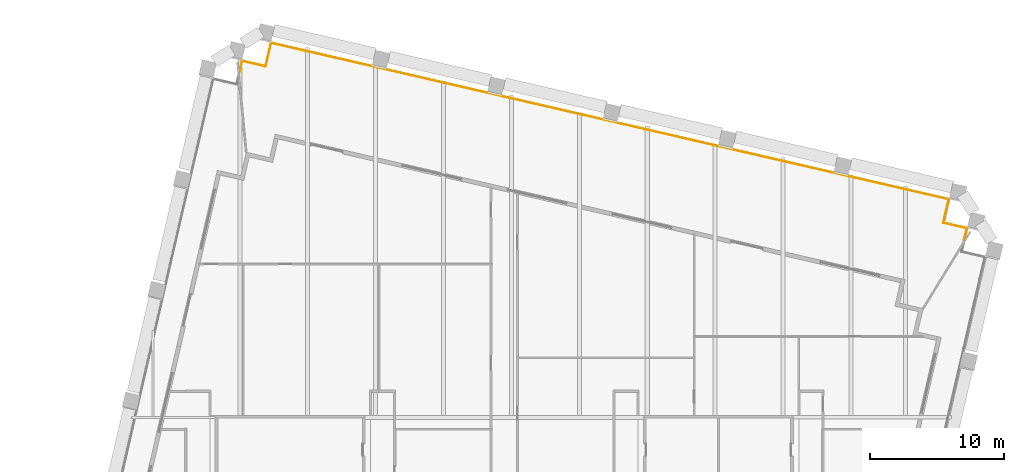
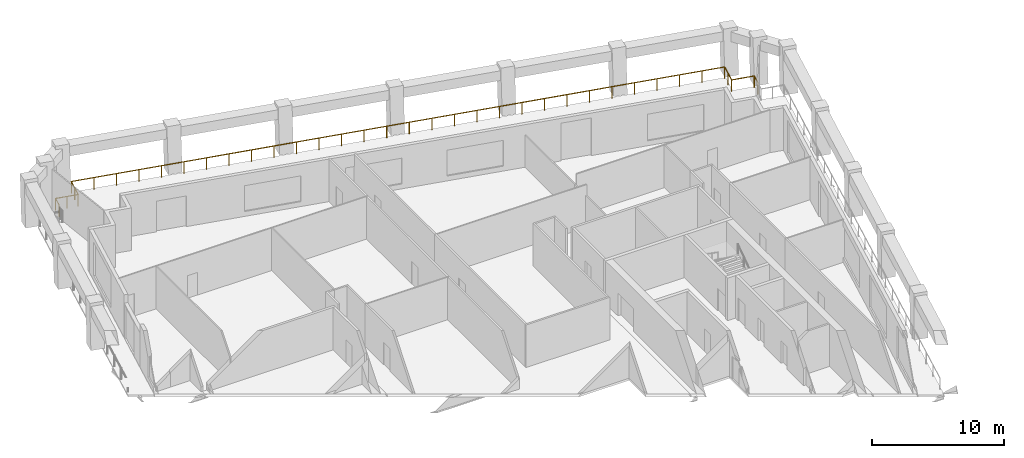
# One storey, part 10 of 10: 1 railing.
"""IFC4 building model written with IfcOpenShell, lengths in metres."""

from ifc_helpers import new_model, si_unit, direction, frame, origin, origin_2d, place, context, subcontext, project, spatial, circle, extrude, material, type_object, element, save


model = new_model("IFC4")

# Units and contexts
model_context = context("Model", 3, precision=1e-05, world=origin(), true_north=direction((0.0, 1.0)))
body_context = subcontext(model_context, "Body", "Model", "MODEL_VIEW")
ifc_project = project(units=[si_unit("LENGTHUNIT", "METRE"), si_unit("AREAUNIT", "SQUARE_METRE"), si_unit("VOLUMEUNIT", "CUBIC_METRE"), si_unit("PLANEANGLEUNIT", "RADIAN"), si_unit("MASSUNIT", "GRAM", prefix="KILO")], contexts=[model_context])

# Site, building, storey
site_placement = place(None, origin())
site = spatial("IfcSite", under=ifc_project, at=site_placement, CompositionType="ELEMENT")
building_placement = place(site_placement, origin())
building = spatial("IfcBuilding", under=site, at=building_placement, Name="Ogive Exchange Tower", CompositionType="ELEMENT")
storey_placement = place(building_placement, frame((0.0, 0.0, 289.199951171875)))
storey = spatial("IfcBuildingStorey", under=building, at=storey_placement, Name="L63", CompositionType="ELEMENT", Elevation=289.199951171875)

# Railing
ifc_material = material(Name="Stainless steel 316", Category="steel")
railing_type = type_object("IfcRailingType", Name="Guard 1100 stainless steel and glass", PredefinedType="GUARDRAIL", material=ifc_material)
railing_placement = place(storey_placement, frame((-19.790283203125, 56.2724609375, -0.050048828125)))
element("IfcRailing", 1, at=railing_placement, inside=storey, type_object=railing_type, Name="Loggia guard 3", PredefinedType="GUARDRAIL", context=body_context, shape_type="SweptSolid", body=[
    extrude(circle(Radius=0.02392578125, at=origin_2d()), frame((0.0, 0.0, 1.076171875), z_axis=(0.224878828695, 0.974386736571, 0.0), x_axis=(-0.974386736571, 0.224878828695, 0.0)), (0.0, 0.0, 1.0), 0.9228515625),
    extrude(circle(Radius=0.02392578125, at=origin_2d()), frame((0.20751953125, 0.899169921875, 1.076171875), z_axis=(0.974386623598, -0.224879318197, 0.0), x_axis=(0.224879318197, 0.974386623598, 0.0)), (0.0, 0.0, 1.0), 1.800048828125),
    extrude(circle(Radius=0.02392578125, at=origin_2d()), frame((1.96142578125, 0.494384765625, 1.076171875), z_axis=(0.225008086135, 0.974356896201, 0.0), x_axis=(-0.974356896201, 0.225008086135, 0.0)), (0.0, 0.0, 1.0), 1.800048828125),
    extrude(circle(Radius=0.02392578125, at=origin_2d()), frame((2.366455078125, 2.248291015625, 1.076171875), z_axis=(0.974369889087, -0.224951815376, 0.0), x_axis=(0.224951815376, 0.974369889087, 0.0)), (0.0, 0.0, 1.0), 51.9599609375),
    extrude(circle(Radius=0.02392578125, at=origin_2d()), frame((52.99462890625, -9.440185546875, 1.076171875), z_axis=(-0.224879318197, -0.974386623598, 0.0), x_axis=(0.974386623598, -0.224879318197, 0.0)), (0.0, 0.0, 1.0), 1.800048828125),
    extrude(circle(Radius=0.02392578125, at=origin_2d()), frame((52.58984375, -11.194091796875, 1.076171875), z_axis=(0.974379763188, -0.224909041816, 0.0), x_axis=(0.224909041816, 0.974379763188, 0.0)), (0.0, 0.0, 1.0), 1.7998046875),
    extrude(circle(Radius=0.02392578125, at=origin_2d()), frame((54.343505859375, -11.598876953125, 1.076171875), z_axis=(-0.2248208724, -0.974400110495, 0.0), x_axis=(0.974400110495, -0.2248208724, 0.0)), (0.0, 0.0, 1.0), 0.923095703125),
    extrude(circle(Radius=0.02099609375, at=origin_2d()), origin(), (0.0, 0.0, 1.0), 1.052001953125),
    extrude(circle(Radius=0.02099609375, at=origin_2d()), frame((0.20751953125, 0.899169921875, 0.0)), (0.0, 0.0, 1.0), 1.052001953125),
    extrude(circle(Radius=0.02099609375, at=origin_2d()), frame((1.08447265625, 0.69677734375, 0.0)), (0.0, 0.0, 1.0), 1.052001953125),
    extrude(circle(Radius=0.02099609375, at=origin_2d()), frame((1.96142578125, 0.494384765625, 0.0)), (0.0, 0.0, 1.0), 1.052001953125),
    extrude(circle(Radius=0.02099609375, at=origin_2d()), frame((2.1640625, 1.371337890625, 0.0)), (0.0, 0.0, 1.0), 1.052001953125),
    extrude(circle(Radius=0.02099609375, at=origin_2d()), frame((2.366455078125, 2.248291015625, 0.0)), (0.0, 0.0, 1.0), 1.052001953125),
    extrude(circle(Radius=0.02099609375, at=origin_2d()), frame((4.1123046875, 1.84521484375, 0.0)), (0.0, 0.0, 1.0), 1.052001953125),
    extrude(circle(Radius=0.02099609375, at=origin_2d()), frame((5.858154296875, 1.442138671875, 0.0)), (0.0, 0.0, 1.0), 1.052001953125),
    extrude(circle(Radius=0.02099609375, at=origin_2d()), frame((7.603759765625, 1.0390625, 0.0)), (0.0, 0.0, 1.0), 1.052001953125),
    extrude(circle(Radius=0.02099609375, at=origin_2d()), frame((9.349609375, 0.635986328125, 0.0)), (0.0, 0.0, 1.0), 1.052001953125),
    extrude(circle(Radius=0.02099609375, at=origin_2d()), frame((11.095458984375, 0.233154296875, 0.0)), (0.0, 0.0, 1.0), 1.052001953125),
    extrude(circle(Radius=0.02099609375, at=origin_2d()), frame((12.84130859375, -0.169921875, 0.0)), (0.0, 0.0, 1.0), 1.052001953125),
    extrude(circle(Radius=0.02099609375, at=origin_2d()), frame((14.587158203125, -0.572998046875, 0.0)), (0.0, 0.0, 1.0), 1.052001953125),
    extrude(circle(Radius=0.02099609375, at=origin_2d()), frame((16.332763671875, -0.97607421875, 0.0)), (0.0, 0.0, 1.0), 1.052001953125),
    extrude(circle(Radius=0.02099609375, at=origin_2d()), frame((18.07861328125, -1.379150390625, 0.0)), (0.0, 0.0, 1.0), 1.052001953125),
    extrude(circle(Radius=0.02099609375, at=origin_2d()), frame((19.824462890625, -1.7822265625, 0.0)), (0.0, 0.0, 1.0), 1.052001953125),
    extrude(circle(Radius=0.02099609375, at=origin_2d()), frame((21.5703125, -2.185302734375, 0.0)), (0.0, 0.0, 1.0), 1.052001953125),
    extrude(circle(Radius=0.02099609375, at=origin_2d()), frame((23.316162109375, -2.58837890625, 0.0)), (0.0, 0.0, 1.0), 1.052001953125),
    extrude(circle(Radius=0.02099609375, at=origin_2d()), frame((25.061767578125, -2.991455078125, 0.0)), (0.0, 0.0, 1.0), 1.052001953125),
    extrude(circle(Radius=0.02099609375, at=origin_2d()), frame((26.8076171875, -3.39453125, 0.0)), (0.0, 0.0, 1.0), 1.052001953125),
    extrude(circle(Radius=0.02099609375, at=origin_2d()), frame((28.553466796875, -3.79736328125, 0.0)), (0.0, 0.0, 1.0), 1.052001953125),
    extrude(circle(Radius=0.02099609375, at=origin_2d()), frame((30.29931640625, -4.200439453125, 0.0)), (0.0, 0.0, 1.0), 1.052001953125),
    extrude(circle(Radius=0.02099609375, at=origin_2d()), frame((32.044921875, -4.603515625, 0.0)), (0.0, 0.0, 1.0), 1.052001953125),
    extrude(circle(Radius=0.02099609375, at=origin_2d()), frame((33.790771484375, -5.006591796875, 0.0)), (0.0, 0.0, 1.0), 1.052001953125),
    extrude(circle(Radius=0.02099609375, at=origin_2d()), frame((35.53662109375, -5.40966796875, 0.0)), (0.0, 0.0, 1.0), 1.052001953125),
    extrude(circle(Radius=0.02099609375, at=origin_2d()), frame((37.282470703125, -5.812744140625, 0.0)), (0.0, 0.0, 1.0), 1.052001953125),
    extrude(circle(Radius=0.02099609375, at=origin_2d()), frame((39.0283203125, -6.2158203125, 0.0)), (0.0, 0.0, 1.0), 1.052001953125),
    extrude(circle(Radius=0.02099609375, at=origin_2d()), frame((40.77392578125, -6.618896484375, 0.0)), (0.0, 0.0, 1.0), 1.052001953125),
    extrude(circle(Radius=0.02099609375, at=origin_2d()), frame((42.519775390625, -7.02197265625, 0.0)), (0.0, 0.0, 1.0), 1.052001953125),
    extrude(circle(Radius=0.02099609375, at=origin_2d()), frame((44.265625, -7.425048828125, 0.0)), (0.0, 0.0, 1.0), 1.052001953125),
    extrude(circle(Radius=0.02099609375, at=origin_2d()), frame((46.011474609375, -7.827880859375, 0.0)), (0.0, 0.0, 1.0), 1.052001953125),
    extrude(circle(Radius=0.02099609375, at=origin_2d()), frame((47.75732421875, -8.23095703125, 0.0)), (0.0, 0.0, 1.0), 1.052001953125),
    extrude(circle(Radius=0.02099609375, at=origin_2d()), frame((49.5029296875, -8.634033203125, 0.0)), (0.0, 0.0, 1.0), 1.052001953125),
    extrude(circle(Radius=0.02099609375, at=origin_2d()), frame((51.248779296875, -9.037109375, 0.0)), (0.0, 0.0, 1.0), 1.052001953125),
    extrude(circle(Radius=0.02099609375, at=origin_2d()), frame((52.99462890625, -9.440185546875, 0.0)), (0.0, 0.0, 1.0), 1.052001953125),
    extrude(circle(Radius=0.02099609375, at=origin_2d()), frame((52.792236328125, -10.317138671875, 0.0)), (0.0, 0.0, 1.0), 1.052001953125),
    extrude(circle(Radius=0.02099609375, at=origin_2d()), frame((52.58984375, -11.194091796875, 0.0)), (0.0, 0.0, 1.0), 1.052001953125),
    extrude(circle(Radius=0.02099609375, at=origin_2d()), frame((54.343505859375, -11.598876953125, 0.0)), (0.0, 0.0, 1.0), 1.052001953125),
    extrude(circle(Radius=0.02099609375, at=origin_2d()), frame((54.135986328125, -12.498291015625, 0.0)), (0.0, 0.0, 1.0), 1.052001953125),
])

save(model, "model.ifc")
